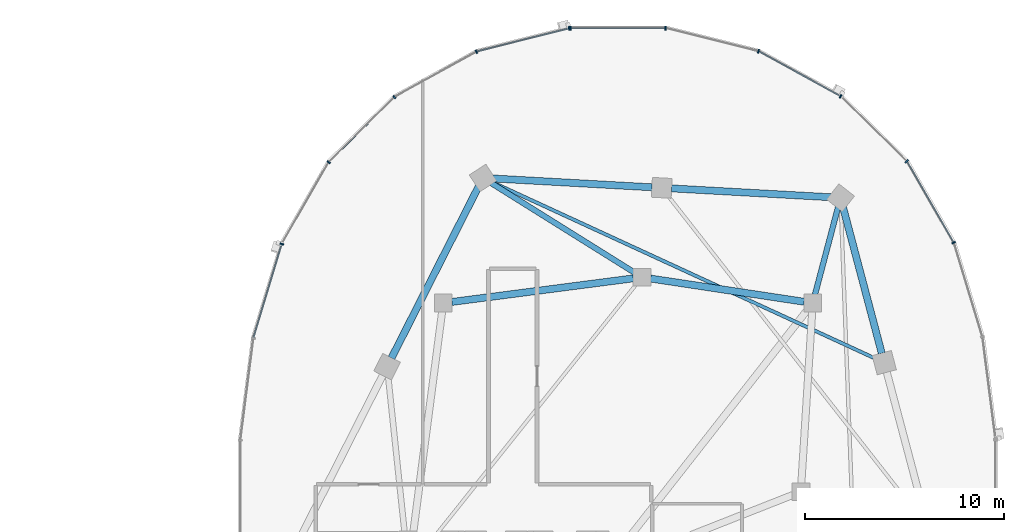
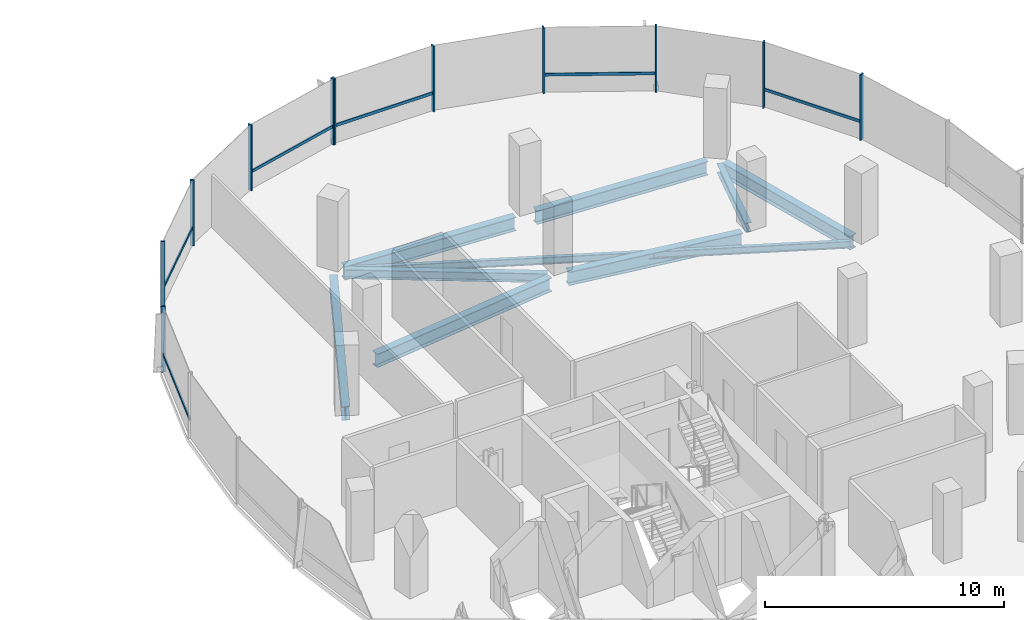
# One storey, part 9 of 21: 17 members, 9 beams, 2 elements without a shape of their own.
"""IFC4 building model written with IfcOpenShell, lengths in metres."""

from ifc_helpers import new_model, si_unit, direction, frame, origin, origin_2d, place, context, subcontext, project, spatial, rectangle, i_section, extrude, material, material_profile, profile_set, type_object, element, aggregate, save


model = new_model("IFC4")

# Units and contexts
model_context = context("Model", 3, precision=1e-05, world=origin(), true_north=direction((0.0, 1.0)))
body_context = subcontext(model_context, "Body", "Model", "MODEL_VIEW")
ifc_project = project(units=[si_unit("LENGTHUNIT", "METRE"), si_unit("AREAUNIT", "SQUARE_METRE"), si_unit("VOLUMEUNIT", "CUBIC_METRE"), si_unit("PLANEANGLEUNIT", "RADIAN"), si_unit("MASSUNIT", "GRAM", prefix="KILO"), si_unit("THERMODYNAMICTEMPERATUREUNIT", "KELVIN"), si_unit("POWERUNIT", "WATT")], contexts=[model_context])

# Site, building, storey
site_placement = place(None, origin())
site = spatial("IfcSite", under=ifc_project, at=site_placement, CompositionType="ELEMENT")
building_placement = place(site_placement, origin())
building = spatial("IfcBuilding", under=site, at=building_placement, Name="Cundina Bronze Exchange", CompositionType="ELEMENT")
storey_placement = place(building_placement, frame((0.0, 0.0, 180.0)))
storey = spatial("IfcBuildingStorey", under=building, at=storey_placement, Name="L47", CompositionType="ELEMENT", Elevation=180.0)

# Beams
ifc_material_1 = material(Name="Steel ASTM A992 Grade 50", Category="steel")
ifc_material_profile_1 = material_profile(ifc_material_1, i_section(OverallWidth=0.280029296875, OverallDepth=0.462890625, WebThickness=0.0107421875, FlangeThickness=0.017333984375, FilletRadius=0.011962890625, at=origin_2d()), Name="W18X76", Category="steel")
ifc_profile_set_1 = profile_set([ifc_material_profile_1], Name="Steel ASTM A992 Grade 50")
beam_type_1 = type_object("IfcBeamType", Name="BM-FLR-W18A", PredefinedType="BEAM", material=ifc_profile_set_1)
beam_1_placement = place(storey_placement, frame((41.911865234375, 9.923583984375, -0.471435546875), z_axis=(0.255413807463, 0.966831829719, 0.0), x_axis=(-0.966831829719, 0.255413807463, 0.0)))
element("IfcBeam", 1, at=beam_1_placement, inside=storey, type_object=beam_type_1, Name="L47 Leg E Chordal Floor Beam 10", PredefinedType="BEAM", context=body_context, shape_type="SweptSolid", body=[
    extrude(i_section(OverallWidth=0.280029296875, OverallDepth=0.462890625, WebThickness=0.0107421875, FlangeThickness=0.017333984375, FilletRadius=0.011962890625, at=origin_2d()), origin(), (0.0, 0.0, 1.0), 4.5556640625),
])
beam_2_placement = place(storey_placement, frame((32.82861328125, 11.031982421875, -0.471435546875), z_axis=(-0.847985407265, 0.530019574228, 0.0), x_axis=(-0.530019574228, -0.847985407265, 0.0)))
element("IfcBeam", 2, at=beam_2_placement, inside=storey, type_object=beam_type_1, Name="L47 Leg E Chordal Floor Beam 12", PredefinedType="BEAM", context=body_context, shape_type="SweptSolid", body=[
    extrude(i_section(OverallWidth=0.280029296875, OverallDepth=0.462890625, WebThickness=0.0107421875, FlangeThickness=0.017333984375, FilletRadius=0.011962890625, at=origin_2d()), origin(), (0.0, 0.0, 1.0), 8.50830078125),
])
ifc_material_profile_2 = material_profile(ifc_material_1, i_section(OverallWidth=0.172119140625, OverallDepth=0.35791015625, WebThickness=0.0078125, FlangeThickness=0.01318359375, FilletRadius=0.010009765625, at=origin_2d()), Name="W14X38", Category="steel")
ifc_profile_set_2 = profile_set([ifc_material_profile_2], Name="Steel ASTM A992 Grade 50")
beam_type_2 = type_object("IfcBeamType", Name="BM-JST-W14", PredefinedType="JOIST", material=ifc_profile_set_2)
beam_3_placement = place(storey_placement, frame((44.956787109375, 6.7041015625, -0.4189453125), z_axis=(-0.908353865734, 0.418202408655, 0.0), x_axis=(-0.418202408655, -0.908353865734, 0.0)))
element("IfcBeam", 3, at=beam_3_placement, inside=storey, type_object=beam_type_2, Name="L47 Leg E Lobe Floor Joist 09-12", PredefinedType="JOIST", context=body_context, shape_type="SweptSolid", body=[
    extrude(i_section(OverallWidth=0.172119140625, OverallDepth=0.35791015625, WebThickness=0.0078125, FlangeThickness=0.01318359375, FilletRadius=0.010009765625, at=origin_2d()), origin(), (0.0, 0.0, 1.0), 21.261962890625),
])
ifc_material_profile_3 = material_profile(ifc_material_1, i_section(OverallWidth=0.35498046875, OverallDepth=0.695068359375, WebThickness=0.015380859375, FlangeThickness=0.02490234375, FilletRadius=0.01806640625, at=origin_2d()), Name="W27X146", Category="steel")
ifc_profile_set_3 = profile_set([ifc_material_profile_3], Name="Steel ASTM A992 Grade 50")
beam_type_3 = type_object("IfcBeamType", Name="BM-RING-W27", PredefinedType="USERDEFINED", material=ifc_profile_set_3)
beam_4_placement = place(storey_placement, frame((41.366943359375, 9.5654296875, -0.58740234375), z_axis=(-0.988764903598, 0.149478979839, 0.0), x_axis=(-0.149478979839, -0.988764903598, 0.0)))
element("IfcBeam", 4, at=beam_4_placement, inside=storey, type_object=beam_type_3, Name="L47 E Inner Structural Ring Girder 05", ObjectType="GIRDER", PredefinedType="USERDEFINED", context=body_context, shape_type="SweptSolid", body=[
    extrude(i_section(OverallWidth=0.35498046875, OverallDepth=0.695068359375, WebThickness=0.015380859375, FlangeThickness=0.02490234375, FilletRadius=0.01806640625, at=origin_2d()), origin(), (0.0, 0.0, 1.0), 7.82177734375),
])
beam_5_placement = place(storey_placement, frame((32.765625, 10.743408203125, -0.58740234375), z_axis=(-0.991656498582, -0.128908451316, 0.0), x_axis=(0.128908451316, -0.991656498582, 0.0)))
element("IfcBeam", 5, at=beam_5_placement, inside=storey, type_object=beam_type_3, Name="L47 E Inner Structural Ring Girder 06", ObjectType="GIRDER", PredefinedType="USERDEFINED", context=body_context, shape_type="SweptSolid", body=[
    extrude(i_section(OverallWidth=0.35498046875, OverallDepth=0.695068359375, WebThickness=0.015380859375, FlangeThickness=0.02490234375, FilletRadius=0.01806640625, at=origin_2d()), origin(), (0.0, 0.0, 1.0), 9.208251953125),
])
beam_6_placement = place(storey_placement, frame((45.27490234375, 6.9716796875, -0.58740234375), z_axis=(-0.256210841755, 0.96662092082, 0.0), x_axis=(-0.96662092082, -0.256210841755, 0.0)))
element("IfcBeam", 6, at=beam_6_placement, inside=storey, type_object=beam_type_3, Name="L47 E Perimeter Ring Girder 09", ObjectType="GIRDER", PredefinedType="USERDEFINED", context=body_context, shape_type="SweptSolid", body=[
    extrude(i_section(OverallWidth=0.35498046875, OverallDepth=0.695068359375, WebThickness=0.015380859375, FlangeThickness=0.02490234375, FilletRadius=0.01806640625, at=origin_2d()), origin(), (0.0, 0.0, 1.0), 7.61083984375),
])
for number, where, z_axis, x_axis, name in (
    (7, (42.712890625, 14.8271484375, -0.58740234375), (-0.998460820451, 0.055461608559, 0.0), (-0.055461608559, -0.998460820451, 0.0), "L47 E Perimeter Ring Girder 10"),
    (8, (33.712890625, 15.3271484375, -0.58740234375), (-0.998460820451, 0.055461608559, 0.0), (-0.055461608559, -0.998460820451, 0.0), "L47 E Perimeter Ring Girder 11"),
):
    element("IfcBeam", number, at=place(storey_placement, frame(where, z_axis=z_axis, x_axis=x_axis)), inside=storey, type_object=beam_type_3, Name=name, ObjectType="GIRDER", PredefinedType="USERDEFINED", context=body_context, shape_type="SweptSolid", body=[
        extrude(i_section(OverallWidth=0.35498046875, OverallDepth=0.695068359375, WebThickness=0.015380859375, FlangeThickness=0.02490234375, FilletRadius=0.01806640625, at=origin_2d()), origin(), (0.0, 0.0, 1.0), 8.0380859375),
    ])
beam_7_placement = place(storey_placement, frame((24.97900390625, 15.364990234375, -0.58740234375), z_axis=(-0.452834585354, -0.891594548159, 0.0), x_axis=(0.891594548159, -0.452834585354, 0.0)))
element("IfcBeam", 9, at=beam_7_placement, inside=storey, type_object=beam_type_3, Name="L47 E Perimeter Ring Girder 12", ObjectType="GIRDER", PredefinedType="USERDEFINED", context=body_context, shape_type="SweptSolid", body=[
    extrude(i_section(OverallWidth=0.35498046875, OverallDepth=0.695068359375, WebThickness=0.015380859375, FlangeThickness=0.02490234375, FilletRadius=0.01806640625, at=origin_2d()), origin(), (0.0, 0.0, 1.0), 9.67919921875),
])

# Curtain wall, members
ifc_material_2 = material(Name="Anodised Bronze Aluminium 6063-T6", Category="aluminium")
curtain_wall_type = type_object("IfcCurtainWallType", Name="CWS-WST-PIN", PredefinedType="NOTDEFINED", material=ifc_material_2)
curtain_wall_1_placement = place(storey_placement, origin())
curtain_wall_1 = element("IfcCurtainWall", 10, at=curtain_wall_1_placement, inside=storey, type_object=curtain_wall_type, Name="L47 CW-04 Curtain Wall Run CWR-L47-E1", PredefinedType="NOTDEFINED")
ifc_material_profile_4 = material_profile(ifc_material_2, rectangle(XDim=0.070068359375, YDim=0.18994140625, at=origin_2d()), Name="AL70X190", Category="aluminium")
ifc_profile_set_4 = profile_set([ifc_material_profile_4], Name="Anodised Bronze Aluminium 6063-T6")
member_type_1 = type_object("IfcMemberType", Name="CWM-MUL-190", PredefinedType="MULLION", material=ifc_profile_set_4)
member_1_placement = place(storey_placement, frame((48.89794921875, 12.541259765625, 0.0), z_axis=(0.0, 0.0, 1.0), x_axis=(-0.498487739754, 0.866896748936, 0.0)))
member_1 = element("IfcMember", 11, at=member_1_placement, type_object=member_type_1, Name="CW-04 Mullion 3", PredefinedType="MULLION", context=body_context, shape_type="SweptSolid", body=[
    extrude(rectangle(XDim=0.070068359375, YDim=0.18994140625, at=origin_2d()), origin(), (0.0, 0.0, 1.0), 3.360107421875),
])
member_2_placement = place(storey_placement, frame((46.530517578125, 16.640380859375, 0.0), z_axis=(0.0, 0.0, 1.0), x_axis=(-0.712026045991, 0.702153052995, 0.0)))
member_2 = element("IfcMember", 12, at=member_2_placement, type_object=member_type_1, Name="CW-04 Mullion 4", PredefinedType="MULLION", context=body_context, shape_type="SweptSolid", body=[
    extrude(rectangle(XDim=0.070068359375, YDim=0.18994140625, at=origin_2d()), origin(), (0.0, 0.0, 1.0), 3.360107421875),
])
member_3_placement = place(storey_placement, frame((43.20654296875, 19.906005859375, 0.0), z_axis=(0.0, 0.0, 1.0), x_axis=(-0.875885937035, 0.482518212408, 0.0)))
member_3 = element("IfcMember", 13, at=member_3_placement, type_object=member_type_1, Name="CW-04 Mullion 5", PredefinedType="MULLION", context=body_context, shape_type="SweptSolid", body=[
    extrude(rectangle(XDim=0.070068359375, YDim=0.18994140625, at=origin_2d()), origin(), (0.0, 0.0, 1.0), 3.360107421875),
])
member_4_placement = place(storey_placement, frame((39.067626953125, 22.17626953125, 0.0), z_axis=(0.0, 0.0, 1.0), x_axis=(-0.970084240161, 0.242768546132, 0.0)))
member_4 = element("IfcMember", 14, at=member_4_placement, type_object=member_type_1, Name="CW-04 Mullion 6", PredefinedType="MULLION", context=body_context, shape_type="SweptSolid", body=[
    extrude(rectangle(XDim=0.070068359375, YDim=0.18994140625, at=origin_2d()), origin(), (0.0, 0.0, 1.0), 3.360107421875),
])
member_5_placement = place(storey_placement, frame((34.39404296875, 23.3369140625, 0.0), z_axis=(0.0, 0.0, 1.0), x_axis=(-1.0, 0.0, 0.0)))
member_5 = element("IfcMember", 15, at=member_5_placement, type_object=member_type_1, Name="CW-04 Mullion 7", PredefinedType="MULLION", context=body_context, shape_type="SweptSolid", body=[
    extrude(rectangle(XDim=0.070068359375, YDim=0.18994140625, at=origin_2d()), origin(), (0.0, 0.0, 1.0), 3.360107421875),
])
member_6_placement = place(storey_placement, frame((29.60595703125, 23.3369140625, 0.0), z_axis=(0.0, 0.0, 1.0), x_axis=(-1.0, 0.0, 0.0)))
member_6 = element("IfcMember", 16, at=member_6_placement, type_object=member_type_1, Name="CW-04 End Mullion", PredefinedType="MULLION", context=body_context, shape_type="SweptSolid", body=[
    extrude(rectangle(XDim=0.070068359375, YDim=0.18994140625, at=origin_2d()), origin(), (0.0, 0.0, 1.0), 3.360107421875),
])

curtain_wall_2_placement = place(storey_placement, origin())
curtain_wall_2 = element("IfcCurtainWall", 17, at=curtain_wall_2_placement, inside=storey, type_object=curtain_wall_type, Name="L47 CW-04 Curtain Wall Run CWR-L47-E2", PredefinedType="NOTDEFINED")
member_7_placement = place(storey_placement, frame((29.537353515625, 23.32861328125, 0.0), z_axis=(0.0, 0.0, 1.0), x_axis=(-0.970084240161, -0.242768546132, 0.0)))
member_7 = element("IfcMember", 18, at=member_7_placement, type_object=member_type_1, Name="CW-04 Mullion 1", PredefinedType="MULLION", context=body_context, shape_type="SweptSolid", body=[
    extrude(rectangle(XDim=0.070068359375, YDim=0.18994140625, at=origin_2d()), origin(), (0.0, 0.0, 1.0), 3.360107421875),
])
member_8_placement = place(storey_placement, frame((24.86962890625, 22.151611328125, 0.0), z_axis=(0.0, 0.0, 1.0), x_axis=(-0.875885937035, -0.482518212408, 0.0)))
member_8 = element("IfcMember", 19, at=member_8_placement, type_object=member_type_1, Name="CW-04 Mullion 2", PredefinedType="MULLION", context=body_context, shape_type="SweptSolid", body=[
    extrude(rectangle(XDim=0.070068359375, YDim=0.18994140625, at=origin_2d()), origin(), (0.0, 0.0, 1.0), 3.360107421875),
])
member_9_placement = place(storey_placement, frame((20.740966796875, 19.86669921875, 0.0), z_axis=(0.0, 0.0, 1.0), x_axis=(-0.712026045991, -0.702153052995, 0.0)))
member_9 = element("IfcMember", 20, at=member_9_placement, type_object=member_type_1, Name="CW-04 Mullion 3", PredefinedType="MULLION", context=body_context, shape_type="SweptSolid", body=[
    extrude(rectangle(XDim=0.070068359375, YDim=0.18994140625, at=origin_2d()), origin(), (0.0, 0.0, 1.0), 3.360107421875),
])
member_10_placement = place(storey_placement, frame((17.42919921875, 16.588134765625, 0.0), z_axis=(0.0, 0.0, 1.0), x_axis=(-0.498487739754, -0.866896748936, 0.0)))
member_10 = element("IfcMember", 21, at=member_10_placement, type_object=member_type_1, Name="CW-04 Mullion 4", PredefinedType="MULLION", context=body_context, shape_type="SweptSolid", body=[
    extrude(rectangle(XDim=0.070068359375, YDim=0.18994140625, at=origin_2d()), origin(), (0.0, 0.0, 1.0), 3.360107421875),
])
member_11_placement = place(storey_placement, frame((15.07373046875, 12.4755859375, 0.0), z_axis=(0.0, 0.0, 1.0), x_axis=(-0.290034140915, -0.957016299288, 0.0)))
member_11 = element("IfcMember", 22, at=member_11_placement, type_object=member_type_1, Name="CW-04 Mullion 5", PredefinedType="MULLION", context=body_context, shape_type="SweptSolid", body=[
    extrude(rectangle(XDim=0.070068359375, YDim=0.18994140625, at=origin_2d()), origin(), (0.0, 0.0, 1.0), 3.360107421875),
])

# Member
ifc_material_profile_5 = material_profile(ifc_material_2, rectangle(XDim=0.06494140625, YDim=0.14990234375, at=origin_2d()), Name="AL65X150", Category="aluminium")
ifc_profile_set_5 = profile_set([ifc_material_profile_5], Name="Anodised Bronze Aluminium 6063-T6")
member_type_2 = type_object("IfcMemberType", Name="CWM-TRN-150", PredefinedType="USERDEFINED", material=ifc_profile_set_5)
member_12_placement = place(storey_placement, frame((48.878662109375, 12.574462890625, 0.919921875), z_axis=(-0.498479967047, 0.866901218394, 0.0), x_axis=(-0.866901218394, -0.498479967047, 0.0)))
member_12 = element("IfcMember", 23, at=member_12_placement, type_object=member_type_2, Name="CW-04 Spandrel Transom 3", ObjectType="TRANSOM", PredefinedType="USERDEFINED", context=body_context, shape_type="SweptSolid", body=[
    extrude(rectangle(XDim=0.06494140625, YDim=0.14990234375, at=origin_2d()), origin(), (0.0, 0.0, 1.0), 4.66845703125),
])

member_13_placement = place(storey_placement, frame((43.1728515625, 19.924560546875, 0.919921875), z_axis=(-0.875878981549, 0.482530838062, 0.0), x_axis=(-0.482530838062, -0.875878981549, 0.0)))
member_13 = element("IfcMember", 24, at=member_13_placement, type_object=member_type_2, Name="CW-04 Spandrel Transom 5", ObjectType="TRANSOM", PredefinedType="USERDEFINED", context=body_context, shape_type="SweptSolid", body=[
    extrude(rectangle(XDim=0.06494140625, YDim=0.14990234375, at=origin_2d()), origin(), (0.0, 0.0, 1.0), 4.65380859375),
])

member_14_placement = place(storey_placement, frame((34.35546875, 23.3369140625, 0.919921875), z_axis=(-1.0, 0.0, 0.0), x_axis=(0.0, -1.0, 0.0)))
member_14 = element("IfcMember", 25, at=member_14_placement, type_object=member_type_2, Name="CW-04 Spandrel Transom 7", ObjectType="TRANSOM", PredefinedType="USERDEFINED", context=body_context, shape_type="SweptSolid", body=[
    extrude(rectangle(XDim=0.06494140625, YDim=0.14990234375, at=origin_2d()), origin(), (0.0, 0.0, 1.0), 4.7109375),
])

aggregate(curtain_wall_1, [member_1, member_12, member_2, member_3, member_13, member_4, member_5, member_6, member_14])

member_15_placement = place(storey_placement, frame((29.5, 23.319091796875, 0.919921875), z_axis=(-0.970100130035, -0.242705042606, 0.0), x_axis=(0.242705042606, -0.970100130035, 0.0)))
member_15 = element("IfcMember", 26, at=member_15_placement, type_object=member_type_2, Name="CW-04 Spandrel Transom 1", ObjectType="TRANSOM", PredefinedType="USERDEFINED", context=body_context, shape_type="SweptSolid", body=[
    extrude(rectangle(XDim=0.06494140625, YDim=0.14990234375, at=origin_2d()), origin(), (0.0, 0.0, 1.0), 4.746826171875),
])

member_16_placement = place(storey_placement, frame((20.71337890625, 19.839599609375, 0.919921875), z_axis=(-0.712005023839, -0.702174370102, 0.0), x_axis=(0.702174370102, -0.712005023839, 0.0)))
member_16 = element("IfcMember", 27, at=member_16_placement, type_object=member_type_2, Name="CW-04 Spandrel Transom 3", ObjectType="TRANSOM", PredefinedType="USERDEFINED", context=body_context, shape_type="SweptSolid", body=[
    extrude(rectangle(XDim=0.06494140625, YDim=0.14990234375, at=origin_2d()), origin(), (0.0, 0.0, 1.0), 4.594482421875),
])

member_17_placement = place(storey_placement, frame((15.062744140625, 12.43896484375, 0.919921875), z_axis=(-0.290051855969, -0.957010930371, 0.0), x_axis=(0.957010930371, -0.290051855969, 0.0)))
member_17 = element("IfcMember", 28, at=member_17_placement, type_object=member_type_2, Name="CW-04 Spandrel Transom 5", ObjectType="TRANSOM", PredefinedType="USERDEFINED", context=body_context, shape_type="SweptSolid", body=[
    extrude(rectangle(XDim=0.06494140625, YDim=0.14990234375, at=origin_2d()), origin(), (0.0, 0.0, 1.0), 4.876953125),
])

aggregate(curtain_wall_2, [member_7, member_15, member_8, member_9, member_16, member_10, member_11, member_17])

save(model, "model.ifc")
